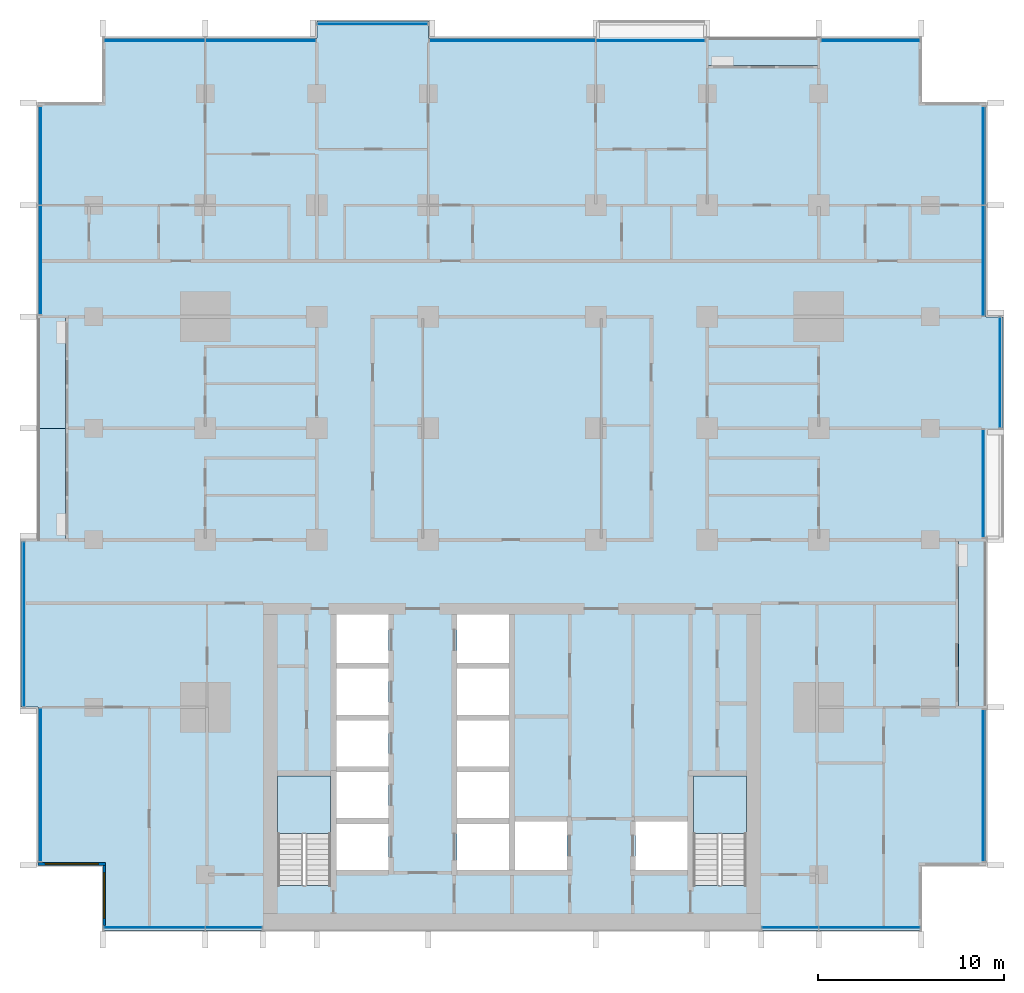
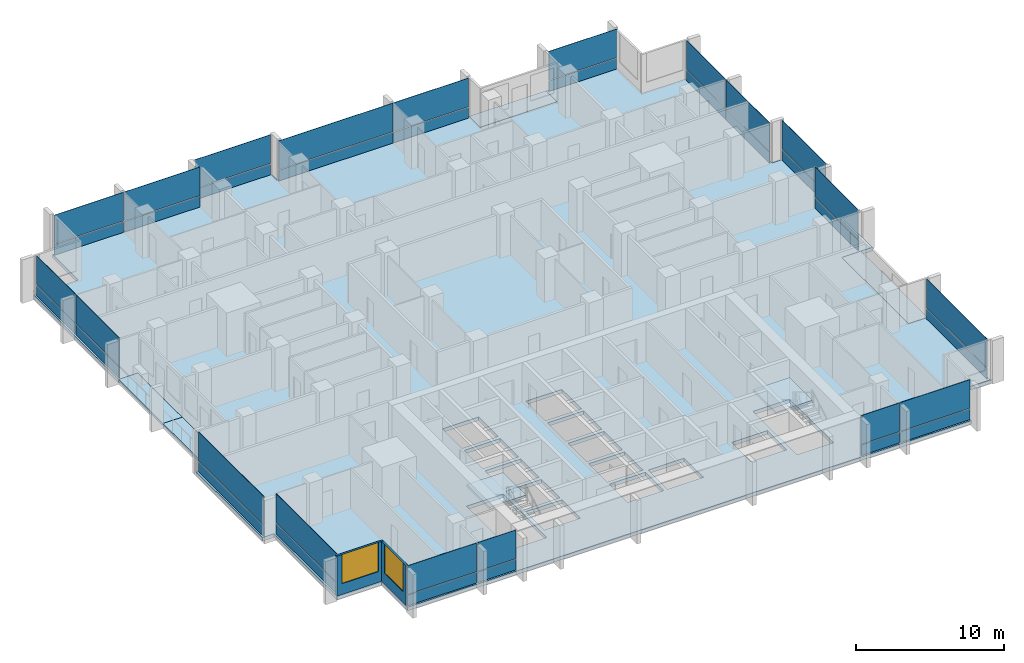
# One storey, part 6 of 17: 38 plates, 7 slabs, 2 walls, 2 windows, 2 openings, 15 elements without a shape of their own.
"""IFC4 building model written with IfcOpenShell, lengths in metres."""

from ifc_helpers import new_model, si_unit, direction, frame, frame_2d, origin, origin_2d, place, context, subcontext, project, spatial, polyline, rectangle, outline, extrude, material, layer, layer_set, type_object, element, fill, aggregate, save


model = new_model("IFC4")

# Units and contexts
model_context = context("Model", 3, precision=1e-05, world=origin(), true_north=direction((0.0, 1.0)))
body_context = subcontext(model_context, "Body", "Model", "MODEL_VIEW")
ifc_project = project(units=[si_unit("LENGTHUNIT", "METRE"), si_unit("AREAUNIT", "SQUARE_METRE"), si_unit("VOLUMEUNIT", "CUBIC_METRE"), si_unit("PLANEANGLEUNIT", "RADIAN"), si_unit("MASSUNIT", "GRAM", prefix="KILO")], contexts=[model_context])

# Site, building, storey
site_placement = place(None, origin())
site = spatial("IfcSite", under=ifc_project, at=site_placement, CompositionType="ELEMENT")
building_placement = place(site_placement, origin())
building = spatial("IfcBuilding", under=site, at=building_placement, Name="Finial Court Residences", CompositionType="ELEMENT")
storey_placement = place(building_placement, frame((0.0, 0.0, 102.699951171875)))
storey = spatial("IfcBuildingStorey", under=building, at=storey_placement, Name="L25", CompositionType="ELEMENT", Elevation=102.699951171875)

# Slabs
ifc_material_1 = material(Name="Concrete C35/45", Category="concrete")
ifc_layer_1 = layer(ifc_material_1, 0.199951171875)
ifc_layer_set_1 = layer_set([ifc_layer_1], Name="Balcony slab, Concrete C35/45 200")
slab_type_1 = type_object("IfcSlabType", Name="Balcony slab, Concrete C35/45 200", PredefinedType="FLOOR", material=ifc_layer_set_1)
slab_1_placement = place(storey_placement, frame((0.0, 0.0, -0.199951171875)))
element("IfcSlab", 1, at=slab_1_placement, inside=storey, type_object=slab_type_1, Name="Balcony L25-N6", PredefinedType="FLOOR", context=body_context, shape_type="SweptSolid", body=[
    extrude(outline(polyline([(16.5, 21.0), (16.5, 22.5), (10.5, 22.5), (10.5, 21.0), (16.5, 21.0)])), origin(), (0.0, 0.0, 1.0), 0.199951171875),
])
slab_2_placement = place(storey_placement, frame((0.0, 0.0, -0.199951171875)))
element("IfcSlab", 2, at=slab_2_placement, inside=storey, type_object=slab_type_1, Name="Balcony L25-E2", PredefinedType="FLOOR", context=body_context, shape_type="SweptSolid", body=[
    extrude(outline(polyline([(25.5, -13.5), (25.5, -4.5), (24.0, -4.5), (24.0, -13.5), (25.5, -13.5)])), origin(), (0.0, 0.0, 1.0), 0.199951171875),
])
slab_3_placement = place(storey_placement, frame((0.0, 0.0, -0.199951171875)))
element("IfcSlab", 3, at=slab_3_placement, inside=storey, type_object=slab_type_1, Name="Balcony L25-W3", PredefinedType="FLOOR", context=body_context, shape_type="SweptSolid", body=[
    extrude(outline(polyline([(-24.0, -4.5), (-24.0, 1.5), (-25.5, 1.5), (-25.5, -4.5), (-24.0, -4.5)])), origin(), (0.0, 0.0, 1.0), 0.199951171875),
])
slab_4_placement = place(storey_placement, frame((0.0, 0.0, -0.199951171875)))
element("IfcSlab", 4, at=slab_4_placement, inside=storey, type_object=slab_type_1, Name="Balcony L25-W4", PredefinedType="FLOOR", context=body_context, shape_type="SweptSolid", body=[
    extrude(outline(polyline([(-24.0, 1.5), (-24.0, 7.5), (-25.5, 7.5), (-25.5, 1.5), (-24.0, 1.5)])), origin(), (0.0, 0.0, 1.0), 0.199951171875),
])

# Curtain wall, plates
ifc_material_2 = material(Name="Bronze anodised aluminium", Category="aluminium")
curtain_wall_type = type_object("IfcCurtainWallType", Name="Unitised curtain wall, lower and middle zones", PredefinedType="NOTDEFINED", material=ifc_material_2)
curtain_wall_1_placement = place(storey_placement, origin())
curtain_wall_1 = element("IfcCurtainWall", 5, at=curtain_wall_1_placement, inside=storey, type_object=curtain_wall_type, Name="E-L25-CW-N1", PredefinedType="NOTDEFINED")
ifc_layer_2 = layer(ifc_material_2, 0.0400390625)
ifc_layer_set_2 = layer_set([ifc_layer_2], Name="CW1 spandrel panel 40")
plate_type_1 = type_object("IfcPlateType", Name="CW1 spandrel panel 40", PredefinedType="CURTAIN_PANEL", material=ifc_layer_set_2)
plate_1_placement = place(storey_placement, frame((-19.23388671875, 22.35009765625, 0.0), z_axis=(0.0, 0.0, 1.0), x_axis=(1.0, 0.0, 0.0)))
plate_1 = element("IfcPlate", 6, at=plate_1_placement, type_object=plate_type_1, Name="CW1 spandrel 1.1", PredefinedType="CURTAIN_PANEL", context=body_context, shape_type="SweptSolid", body=[
    extrude(rectangle(XDim=5.402587890625, YDim=0.0400390625, at=origin_2d()), origin(), (0.0, 0.0, 1.0), 0.867431640625),
])
plate_2_placement = place(storey_placement, frame((-13.516357421875, 22.35009765625, 0.0), z_axis=(0.0, 0.0, 1.0), x_axis=(1.0, 0.0, 0.0)))
plate_2 = element("IfcPlate", 7, at=plate_2_placement, type_object=plate_type_1, Name="CW1 spandrel 2.1", PredefinedType="CURTAIN_PANEL", context=body_context, shape_type="SweptSolid", body=[
    extrude(rectangle(XDim=5.902587890625, YDim=0.0400390625, at=origin_2d()), origin(), (0.0, 0.0, 1.0), 0.867431640625),
])

# Curtain wall, plate
curtain_wall_2_placement = place(storey_placement, origin())
curtain_wall_2 = element("IfcCurtainWall", 8, at=curtain_wall_2_placement, inside=storey, type_object=curtain_wall_type, Name="E-L25-CW-N2", PredefinedType="NOTDEFINED")
plate_3_placement = place(storey_placement, frame((-7.5, 23.25, 0.0), z_axis=(0.0, 0.0, 1.0), x_axis=(1.0, 0.0, 0.0)))
plate_3 = element("IfcPlate", 9, at=plate_3_placement, type_object=plate_type_1, Name="CW1 spandrel 1.1", PredefinedType="CURTAIN_PANEL", context=body_context, shape_type="SweptSolid", body=[
    extrude(rectangle(XDim=5.8701171875, YDim=0.0400390625, at=origin_2d()), origin(), (0.0, 0.0, 1.0), 0.867431640625),
])

# Curtain wall, plates
curtain_wall_3_placement = place(storey_placement, origin())
curtain_wall_3 = element("IfcCurtainWall", 10, at=curtain_wall_3_placement, inside=storey, type_object=curtain_wall_type, Name="E-L25-CW-N3", PredefinedType="NOTDEFINED")
plate_4_placement = place(storey_placement, frame((0.01611328125, 22.35009765625, 0.0), z_axis=(0.0, 0.0, 1.0), x_axis=(1.0, 0.0, 0.0)))
plate_4 = element("IfcPlate", 11, at=plate_4_placement, type_object=plate_type_1, Name="CW1 spandrel 1.1", PredefinedType="CURTAIN_PANEL", context=body_context, shape_type="SweptSolid", body=[
    extrude(rectangle(XDim=8.902587890625, YDim=0.0400390625, at=origin_2d()), origin(), (0.0, 0.0, 1.0), 0.867431640625),
])
plate_5_placement = place(storey_placement, frame((7.4462890625, 22.35009765625, 0.0), z_axis=(0.0, 0.0, 1.0), x_axis=(1.0, 0.0, 0.0)))
plate_5 = element("IfcPlate", 12, at=plate_5_placement, type_object=plate_type_1, Name="CW1 spandrel 2.1", PredefinedType="CURTAIN_PANEL", context=body_context, shape_type="SweptSolid", body=[
    extrude(rectangle(XDim=5.827392578125, YDim=0.0400390625, at=origin_2d()), origin(), (0.0, 0.0, 1.0), 0.867431640625),
])

# Curtain wall, plate
curtain_wall_4_placement = place(storey_placement, origin())
curtain_wall_4 = element("IfcCurtainWall", 13, at=curtain_wall_4_placement, inside=storey, type_object=curtain_wall_type, Name="E-L25-CW-N4", PredefinedType="NOTDEFINED")
plate_6_placement = place(storey_placement, frame((19.28759765625, 22.35009765625, 0.0), z_axis=(0.0, 0.0, 1.0), x_axis=(1.0, 0.0, 0.0)))
plate_6 = element("IfcPlate", 14, at=plate_6_placement, type_object=plate_type_1, Name="CW1 spandrel 1.1", PredefinedType="CURTAIN_PANEL", context=body_context, shape_type="SweptSolid", body=[
    extrude(rectangle(XDim=5.294921875, YDim=0.0400390625, at=origin_2d()), origin(), (0.0, 0.0, 1.0), 0.867431640625),
])

curtain_wall_5_placement = place(storey_placement, origin())
curtain_wall_5 = element("IfcCurtainWall", 15, at=curtain_wall_5_placement, inside=storey, type_object=curtain_wall_type, Name="E-L25-CW-E5", PredefinedType="NOTDEFINED")
plate_7_placement = place(storey_placement, frame((25.35009765625, -17.71240234375, 0.0), z_axis=(0.0, 0.0, 1.0), x_axis=(0.0, 1.0, 0.0)))
plate_7 = element("IfcPlate", 16, at=plate_7_placement, type_object=plate_type_1, Name="CW1 spandrel 1.1", PredefinedType="CURTAIN_PANEL", context=body_context, shape_type="SweptSolid", body=[
    extrude(rectangle(XDim=8.14501953125, YDim=0.0400390625, at=origin_2d()), origin(), (0.0, 0.0, 1.0), 0.867431640625),
])

curtain_wall_6_placement = place(storey_placement, origin())
curtain_wall_6 = element("IfcCurtainWall", 17, at=curtain_wall_6_placement, inside=storey, type_object=curtain_wall_type, Name="E-L25-CW-E6", PredefinedType="NOTDEFINED")
plate_8_placement = place(storey_placement, frame((25.35009765625, -1.46240234375, 0.0), z_axis=(0.0, 0.0, 1.0), x_axis=(0.0, 1.0, 0.0)))
plate_8 = element("IfcPlate", 18, at=plate_8_placement, type_object=plate_type_1, Name="CW1 spandrel 1.1", PredefinedType="CURTAIN_PANEL", context=body_context, shape_type="SweptSolid", body=[
    extrude(rectangle(XDim=5.794921875, YDim=0.0400390625, at=origin_2d()), origin(), (0.0, 0.0, 1.0), 0.867431640625),
])

curtain_wall_7_placement = place(storey_placement, origin())
curtain_wall_7 = element("IfcCurtainWall", 19, at=curtain_wall_7_placement, inside=storey, type_object=curtain_wall_type, Name="E-L25-CW-E7", PredefinedType="NOTDEFINED")
plate_9_placement = place(storey_placement, frame((26.25, 4.5, 0.0), z_axis=(0.0, 0.0, 1.0), x_axis=(0.0, 1.0, 0.0)))
plate_9 = element("IfcPlate", 20, at=plate_9_placement, type_object=plate_type_1, Name="CW1 spandrel 1.1", PredefinedType="CURTAIN_PANEL", context=body_context, shape_type="SweptSolid", body=[
    extrude(rectangle(XDim=5.8701171875, YDim=0.0400390625, at=origin_2d()), origin(), (0.0, 0.0, 1.0), 0.867431640625),
])

# Curtain wall, plates
curtain_wall_8_placement = place(storey_placement, origin())
curtain_wall_8 = element("IfcCurtainWall", 21, at=curtain_wall_8_placement, inside=storey, type_object=curtain_wall_type, Name="E-L25-CW-E8", PredefinedType="NOTDEFINED")
plate_10_placement = place(storey_placement, frame((25.35009765625, 10.51611328125, 0.0), z_axis=(0.0, 0.0, 1.0), x_axis=(0.0, 1.0, 0.0)))
plate_10 = element("IfcPlate", 22, at=plate_10_placement, type_object=plate_type_1, Name="CW1 spandrel 1.1", PredefinedType="CURTAIN_PANEL", context=body_context, shape_type="SweptSolid", body=[
    extrude(rectangle(XDim=5.902587890625, YDim=0.0400390625, at=origin_2d()), origin(), (0.0, 0.0, 1.0), 0.867431640625),
])
plate_11_placement = place(storey_placement, frame((25.35009765625, 16.15869140625, 0.0), z_axis=(0.0, 0.0, 1.0), x_axis=(0.0, 1.0, 0.0)))
plate_11 = element("IfcPlate", 23, at=plate_11_placement, type_object=plate_type_1, Name="CW1 spandrel 2.1", PredefinedType="CURTAIN_PANEL", context=body_context, shape_type="SweptSolid", body=[
    extrude(rectangle(XDim=5.25244140625, YDim=0.0400390625, at=origin_2d()), origin(), (0.0, 0.0, 1.0), 0.867431640625),
])

curtain_wall_9_placement = place(storey_placement, origin())
curtain_wall_9 = element("IfcCurtainWall", 24, at=curtain_wall_9_placement, inside=storey, type_object=curtain_wall_type, Name="E-L25-CW-S9", PredefinedType="NOTDEFINED")
plate_12_placement = place(storey_placement, frame((-19.23388671875, -25.35009765625, 0.0), z_axis=(0.0, 0.0, 1.0), x_axis=(1.0, 0.0, 0.0)))
plate_12 = element("IfcPlate", 25, at=plate_12_placement, type_object=plate_type_1, Name="CW1 spandrel 1.1", PredefinedType="CURTAIN_PANEL", context=body_context, shape_type="SweptSolid", body=[
    extrude(rectangle(XDim=5.402587890625, YDim=0.0400390625, at=origin_2d()), origin(), (0.0, 0.0, 1.0), 0.867431640625),
])
plate_13_placement = place(storey_placement, frame((-14.96630859375, -25.35009765625, 0.0), z_axis=(0.0, 0.0, 1.0), x_axis=(1.0, 0.0, 0.0)))
plate_13 = element("IfcPlate", 26, at=plate_13_placement, type_object=plate_type_1, Name="CW1 spandrel 2.1", PredefinedType="CURTAIN_PANEL", context=body_context, shape_type="SweptSolid", body=[
    extrude(rectangle(XDim=3.00244140625, YDim=0.0400390625, at=origin_2d()), origin(), (0.0, 0.0, 1.0), 0.867431640625),
])

curtain_wall_10_placement = place(storey_placement, origin())
curtain_wall_10 = element("IfcCurtainWall", 27, at=curtain_wall_10_placement, inside=storey, type_object=curtain_wall_type, Name="E-L25-CW-S10", PredefinedType="NOTDEFINED")
plate_14_placement = place(storey_placement, frame((14.96630859375, -25.35009765625, 0.0), z_axis=(0.0, 0.0, 1.0), x_axis=(1.0, 0.0, 0.0)))
plate_14 = element("IfcPlate", 28, at=plate_14_placement, type_object=plate_type_1, Name="CW1 spandrel 1.1", PredefinedType="CURTAIN_PANEL", context=body_context, shape_type="SweptSolid", body=[
    extrude(rectangle(XDim=3.00244140625, YDim=0.0400390625, at=origin_2d()), origin(), (0.0, 0.0, 1.0), 0.867431640625),
])
plate_15_placement = place(storey_placement, frame((19.23388671875, -25.35009765625, 0.0), z_axis=(0.0, 0.0, 1.0), x_axis=(1.0, 0.0, 0.0)))
plate_15 = element("IfcPlate", 29, at=plate_15_placement, type_object=plate_type_1, Name="CW1 spandrel 2.1", PredefinedType="CURTAIN_PANEL", context=body_context, shape_type="SweptSolid", body=[
    extrude(rectangle(XDim=5.402587890625, YDim=0.0400390625, at=origin_2d()), origin(), (0.0, 0.0, 1.0), 0.867431640625),
])

# Curtain wall, plate
curtain_wall_11_placement = place(storey_placement, origin())
curtain_wall_11 = element("IfcCurtainWall", 30, at=curtain_wall_11_placement, inside=storey, type_object=curtain_wall_type, Name="E-L25-CW-W11", PredefinedType="NOTDEFINED")
plate_16_placement = place(storey_placement, frame((-25.35009765625, -17.675048828125, 0.0), z_axis=(0.0, 0.0, 1.0), x_axis=(0.0, 1.0, 0.0)))
plate_16 = element("IfcPlate", 31, at=plate_16_placement, type_object=plate_type_1, Name="CW1 spandrel 1.1", PredefinedType="CURTAIN_PANEL", context=body_context, shape_type="SweptSolid", body=[
    extrude(rectangle(XDim=8.219970703125, YDim=0.0400390625, at=origin_2d()), origin(), (0.0, 0.0, 1.0), 0.867431640625),
])

curtain_wall_12_placement = place(storey_placement, origin())
curtain_wall_12 = element("IfcCurtainWall", 32, at=curtain_wall_12_placement, inside=storey, type_object=curtain_wall_type, Name="E-L25-CW-W12", PredefinedType="NOTDEFINED")
plate_17_placement = place(storey_placement, frame((-26.25, -9.03759765625, 0.0), z_axis=(0.0, 0.0, 1.0), x_axis=(0.0, 1.0, 0.0)))
plate_17 = element("IfcPlate", 33, at=plate_17_placement, type_object=plate_type_1, Name="CW1 spandrel 1.1", PredefinedType="CURTAIN_PANEL", context=body_context, shape_type="SweptSolid", body=[
    extrude(rectangle(XDim=8.794921875, YDim=0.0400390625, at=origin_2d()), origin(), (0.0, 0.0, 1.0), 0.867431640625),
])

# Curtain wall, plates
curtain_wall_13_placement = place(storey_placement, origin())
curtain_wall_13 = element("IfcCurtainWall", 34, at=curtain_wall_13_placement, inside=storey, type_object=curtain_wall_type, Name="E-L25-CW-W13", PredefinedType="NOTDEFINED")
plate_18_placement = place(storey_placement, frame((-25.35009765625, 10.5537109375, 0.0), z_axis=(0.0, 0.0, 1.0), x_axis=(0.0, 1.0, 0.0)))
plate_18 = element("IfcPlate", 35, at=plate_18_placement, type_object=plate_type_1, Name="CW1 spandrel 1.1", PredefinedType="CURTAIN_PANEL", context=body_context, shape_type="SweptSolid", body=[
    extrude(rectangle(XDim=5.827392578125, YDim=0.0400390625, at=origin_2d()), origin(), (0.0, 0.0, 1.0), 0.867431640625),
])
plate_19_placement = place(storey_placement, frame((-25.35009765625, 16.15869140625, 0.0), z_axis=(0.0, 0.0, 1.0), x_axis=(0.0, 1.0, 0.0)))
plate_19 = element("IfcPlate", 36, at=plate_19_placement, type_object=plate_type_1, Name="CW1 spandrel 2.1", PredefinedType="CURTAIN_PANEL", context=body_context, shape_type="SweptSolid", body=[
    extrude(rectangle(XDim=5.25244140625, YDim=0.0400390625, at=origin_2d()), origin(), (0.0, 0.0, 1.0), 0.867431640625),
])

# Plate
ifc_material_3 = material(Name="Clear low-e glass", Category="glass")
ifc_layer_3 = layer(ifc_material_3, 0.031982421875)
ifc_layer_set_3 = layer_set([ifc_layer_3], Name="CW1 vision glass 32")
plate_type_2 = type_object("IfcPlateType", Name="CW1 vision glass 32", PredefinedType="CURTAIN_PANEL", material=ifc_layer_set_3)
plate_20_placement = place(storey_placement, frame((-19.23388671875, 22.35009765625, 0.9326171875), z_axis=(0.0, 0.0, 1.0), x_axis=(1.0, 0.0, 0.0)))
plate_20 = element("IfcPlate", 37, at=plate_20_placement, type_object=plate_type_2, Name="CW1 glass 1.2", PredefinedType="CURTAIN_PANEL", context=body_context, shape_type="SweptSolid", body=[
    extrude(rectangle(XDim=5.402587890625, YDim=0.031982421875, at=origin_2d()), origin(), (0.0, 0.0, 1.0), 2.367431640625),
])

plate_21_placement = place(storey_placement, frame((-13.516357421875, 22.35009765625, 0.9326171875), z_axis=(0.0, 0.0, 1.0), x_axis=(1.0, 0.0, 0.0)))
plate_21 = element("IfcPlate", 38, at=plate_21_placement, type_object=plate_type_2, Name="CW1 glass 2.2", PredefinedType="CURTAIN_PANEL", context=body_context, shape_type="SweptSolid", body=[
    extrude(rectangle(XDim=5.902587890625, YDim=0.031982421875, at=origin_2d()), origin(), (0.0, 0.0, 1.0), 2.367431640625),
])

aggregate(curtain_wall_1, [plate_1, plate_20, plate_2, plate_21])

plate_22_placement = place(storey_placement, frame((-7.5, 23.25, 0.9326171875), z_axis=(0.0, 0.0, 1.0), x_axis=(1.0, 0.0, 0.0)))
plate_22 = element("IfcPlate", 39, at=plate_22_placement, type_object=plate_type_2, Name="CW1 glass 1.2", PredefinedType="CURTAIN_PANEL", context=body_context, shape_type="SweptSolid", body=[
    extrude(rectangle(XDim=5.8701171875, YDim=0.031982421875, at=origin_2d()), origin(), (0.0, 0.0, 1.0), 2.367431640625),
])

aggregate(curtain_wall_2, [plate_3, plate_22])

plate_23_placement = place(storey_placement, frame((0.01611328125, 22.35009765625, 0.9326171875), z_axis=(0.0, 0.0, 1.0), x_axis=(1.0, 0.0, 0.0)))
plate_23 = element("IfcPlate", 40, at=plate_23_placement, type_object=plate_type_2, Name="CW1 glass 1.2", PredefinedType="CURTAIN_PANEL", context=body_context, shape_type="SweptSolid", body=[
    extrude(rectangle(XDim=8.902587890625, YDim=0.031982421875, at=origin_2d()), origin(), (0.0, 0.0, 1.0), 2.367431640625),
])

plate_24_placement = place(storey_placement, frame((7.4462890625, 22.35009765625, 0.9326171875), z_axis=(0.0, 0.0, 1.0), x_axis=(1.0, 0.0, 0.0)))
plate_24 = element("IfcPlate", 41, at=plate_24_placement, type_object=plate_type_2, Name="CW1 glass 2.2", PredefinedType="CURTAIN_PANEL", context=body_context, shape_type="SweptSolid", body=[
    extrude(rectangle(XDim=5.827392578125, YDim=0.031982421875, at=origin_2d()), origin(), (0.0, 0.0, 1.0), 2.367431640625),
])

aggregate(curtain_wall_3, [plate_4, plate_23, plate_5, plate_24])

plate_25_placement = place(storey_placement, frame((19.28759765625, 22.35009765625, 0.9326171875), z_axis=(0.0, 0.0, 1.0), x_axis=(1.0, 0.0, 0.0)))
plate_25 = element("IfcPlate", 42, at=plate_25_placement, type_object=plate_type_2, Name="CW1 glass 1.2", PredefinedType="CURTAIN_PANEL", context=body_context, shape_type="SweptSolid", body=[
    extrude(rectangle(XDim=5.294921875, YDim=0.031982421875, at=origin_2d()), origin(), (0.0, 0.0, 1.0), 2.367431640625),
])

aggregate(curtain_wall_4, [plate_6, plate_25])

plate_26_placement = place(storey_placement, frame((25.35009765625, -17.71240234375, 0.9326171875), z_axis=(0.0, 0.0, 1.0), x_axis=(0.0, 1.0, 0.0)))
plate_26 = element("IfcPlate", 43, at=plate_26_placement, type_object=plate_type_2, Name="CW1 glass 1.2", PredefinedType="CURTAIN_PANEL", context=body_context, shape_type="SweptSolid", body=[
    extrude(rectangle(XDim=8.14501953125, YDim=0.031982421875, at=origin_2d()), origin(), (0.0, 0.0, 1.0), 2.367431640625),
])

aggregate(curtain_wall_5, [plate_7, plate_26])

plate_27_placement = place(storey_placement, frame((25.35009765625, -1.46240234375, 0.9326171875), z_axis=(0.0, 0.0, 1.0), x_axis=(0.0, 1.0, 0.0)))
plate_27 = element("IfcPlate", 44, at=plate_27_placement, type_object=plate_type_2, Name="CW1 glass 1.2", PredefinedType="CURTAIN_PANEL", context=body_context, shape_type="SweptSolid", body=[
    extrude(rectangle(XDim=5.794921875, YDim=0.031982421875, at=origin_2d()), origin(), (0.0, 0.0, 1.0), 2.467529296875),
])

aggregate(curtain_wall_6, [plate_8, plate_27])

plate_28_placement = place(storey_placement, frame((26.25, 4.5, 0.9326171875), z_axis=(0.0, 0.0, 1.0), x_axis=(0.0, 1.0, 0.0)))
plate_28 = element("IfcPlate", 45, at=plate_28_placement, type_object=plate_type_2, Name="CW1 glass 1.2", PredefinedType="CURTAIN_PANEL", context=body_context, shape_type="SweptSolid", body=[
    extrude(rectangle(XDim=5.8701171875, YDim=0.031982421875, at=origin_2d()), origin(), (0.0, 0.0, 1.0), 2.367431640625),
])

aggregate(curtain_wall_7, [plate_9, plate_28])

plate_29_placement = place(storey_placement, frame((25.35009765625, 10.51611328125, 0.9326171875), z_axis=(0.0, 0.0, 1.0), x_axis=(0.0, 1.0, 0.0)))
plate_29 = element("IfcPlate", 46, at=plate_29_placement, type_object=plate_type_2, Name="CW1 glass 1.2", PredefinedType="CURTAIN_PANEL", context=body_context, shape_type="SweptSolid", body=[
    extrude(rectangle(XDim=5.902587890625, YDim=0.031982421875, at=origin_2d()), origin(), (0.0, 0.0, 1.0), 2.367431640625),
])

plate_30_placement = place(storey_placement, frame((25.35009765625, 16.15869140625, 0.9326171875), z_axis=(0.0, 0.0, 1.0), x_axis=(0.0, 1.0, 0.0)))
plate_30 = element("IfcPlate", 47, at=plate_30_placement, type_object=plate_type_2, Name="CW1 glass 2.2", PredefinedType="CURTAIN_PANEL", context=body_context, shape_type="SweptSolid", body=[
    extrude(rectangle(XDim=5.25244140625, YDim=0.031982421875, at=origin_2d()), origin(), (0.0, 0.0, 1.0), 2.367431640625),
])

aggregate(curtain_wall_8, [plate_10, plate_29, plate_11, plate_30])

plate_31_placement = place(storey_placement, frame((-19.23388671875, -25.35009765625, 0.9326171875), z_axis=(0.0, 0.0, 1.0), x_axis=(1.0, 0.0, 0.0)))
plate_31 = element("IfcPlate", 48, at=plate_31_placement, type_object=plate_type_2, Name="CW1 glass 1.2", PredefinedType="CURTAIN_PANEL", context=body_context, shape_type="SweptSolid", body=[
    extrude(rectangle(XDim=5.402587890625, YDim=0.031982421875, at=origin_2d()), origin(), (0.0, 0.0, 1.0), 2.367431640625),
])

plate_32_placement = place(storey_placement, frame((-14.96630859375, -25.35009765625, 0.9326171875), z_axis=(0.0, 0.0, 1.0), x_axis=(1.0, 0.0, 0.0)))
plate_32 = element("IfcPlate", 49, at=plate_32_placement, type_object=plate_type_2, Name="CW1 glass 2.2", PredefinedType="CURTAIN_PANEL", context=body_context, shape_type="SweptSolid", body=[
    extrude(rectangle(XDim=3.00244140625, YDim=0.031982421875, at=origin_2d()), origin(), (0.0, 0.0, 1.0), 2.367431640625),
])

aggregate(curtain_wall_9, [plate_12, plate_31, plate_13, plate_32])

plate_33_placement = place(storey_placement, frame((14.96630859375, -25.35009765625, 0.9326171875), z_axis=(0.0, 0.0, 1.0), x_axis=(1.0, 0.0, 0.0)))
plate_33 = element("IfcPlate", 50, at=plate_33_placement, type_object=plate_type_2, Name="CW1 glass 1.2", PredefinedType="CURTAIN_PANEL", context=body_context, shape_type="SweptSolid", body=[
    extrude(rectangle(XDim=3.00244140625, YDim=0.031982421875, at=origin_2d()), origin(), (0.0, 0.0, 1.0), 2.367431640625),
])

plate_34_placement = place(storey_placement, frame((19.23388671875, -25.35009765625, 0.9326171875), z_axis=(0.0, 0.0, 1.0), x_axis=(1.0, 0.0, 0.0)))
plate_34 = element("IfcPlate", 51, at=plate_34_placement, type_object=plate_type_2, Name="CW1 glass 2.2", PredefinedType="CURTAIN_PANEL", context=body_context, shape_type="SweptSolid", body=[
    extrude(rectangle(XDim=5.402587890625, YDim=0.031982421875, at=origin_2d()), origin(), (0.0, 0.0, 1.0), 2.367431640625),
])

aggregate(curtain_wall_10, [plate_14, plate_33, plate_15, plate_34])

plate_35_placement = place(storey_placement, frame((-25.35009765625, -17.675048828125, 0.9326171875), z_axis=(0.0, 0.0, 1.0), x_axis=(0.0, 1.0, 0.0)))
plate_35 = element("IfcPlate", 52, at=plate_35_placement, type_object=plate_type_2, Name="CW1 glass 1.2", PredefinedType="CURTAIN_PANEL", context=body_context, shape_type="SweptSolid", body=[
    extrude(rectangle(XDim=8.219970703125, YDim=0.031982421875, at=origin_2d()), origin(), (0.0, 0.0, 1.0), 2.367431640625),
])

aggregate(curtain_wall_11, [plate_16, plate_35])

plate_36_placement = place(storey_placement, frame((-26.25, -9.03759765625, 0.9326171875), z_axis=(0.0, 0.0, 1.0), x_axis=(0.0, 1.0, 0.0)))
plate_36 = element("IfcPlate", 53, at=plate_36_placement, type_object=plate_type_2, Name="CW1 glass 1.2", PredefinedType="CURTAIN_PANEL", context=body_context, shape_type="SweptSolid", body=[
    extrude(rectangle(XDim=8.794921875, YDim=0.031982421875, at=origin_2d()), origin(), (0.0, 0.0, 1.0), 2.367431640625),
])

aggregate(curtain_wall_12, [plate_17, plate_36])

plate_37_placement = place(storey_placement, frame((-25.35009765625, 10.5537109375, 0.9326171875), z_axis=(0.0, 0.0, 1.0), x_axis=(0.0, 1.0, 0.0)))
plate_37 = element("IfcPlate", 54, at=plate_37_placement, type_object=plate_type_2, Name="CW1 glass 1.2", PredefinedType="CURTAIN_PANEL", context=body_context, shape_type="SweptSolid", body=[
    extrude(rectangle(XDim=5.827392578125, YDim=0.031982421875, at=origin_2d()), origin(), (0.0, 0.0, 1.0), 2.367431640625),
])

plate_38_placement = place(storey_placement, frame((-25.35009765625, 16.15869140625, 0.9326171875), z_axis=(0.0, 0.0, 1.0), x_axis=(0.0, 1.0, 0.0)))
plate_38 = element("IfcPlate", 55, at=plate_38_placement, type_object=plate_type_2, Name="CW1 glass 2.2", PredefinedType="CURTAIN_PANEL", context=body_context, shape_type="SweptSolid", body=[
    extrude(rectangle(XDim=5.25244140625, YDim=0.031982421875, at=origin_2d()), origin(), (0.0, 0.0, 1.0), 2.367431640625),
])

aggregate(curtain_wall_13, [plate_18, plate_37, plate_19, plate_38])

# Stair, slab
ifc_material_4 = material(Name="Concrete C50/60", Category="concrete")
stair_type = type_object("IfcStairType", Name="Exit stair 22 risers of 163.6 mm", PredefinedType="HALF_TURN_STAIR", material=ifc_material_4)
stair_1_placement = place(storey_placement, origin())
stair_1 = element("IfcStair", 56, at=stair_1_placement, inside=storey, type_object=stair_type, Name="L25 Exit stair ST-1", PredefinedType="HALF_TURN_STAIR")
ifc_layer_4 = layer(ifc_material_4, 0.199951171875)
ifc_layer_set_4 = layer_set([ifc_layer_4], Name="Exit stair landing")
slab_type_2 = type_object("IfcSlabType", Name="Exit stair landing", PredefinedType="LANDING", material=ifc_layer_set_4)
slab_5_placement = place(storey_placement, frame((0.0, 0.0, 1.60009765625)))
slab_5 = element("IfcSlab", 57, at=slab_5_placement, type_object=slab_type_2, Name="ST-1 landing 1", PredefinedType="LANDING", context=body_context, shape_type="SweptSolid", body=[
    extrude(outline(polyline([(-9.75, -20.300048828125), (-9.75, -17.199951171875), (-12.60009765625, -17.199951171875), (-12.60009765625, -20.300048828125), (-9.75, -20.300048828125)])), origin(), (0.0, 0.0, 1.0), 0.199951171875),
])
aggregate(stair_1, [slab_5])

stair_2_placement = place(storey_placement, origin())
stair_2 = element("IfcStair", 58, at=stair_2_placement, inside=storey, type_object=stair_type, Name="L25 Exit stair ST-2", PredefinedType="HALF_TURN_STAIR")
slab_6_placement = place(storey_placement, frame((0.0, 0.0, 1.60009765625)))
slab_6 = element("IfcSlab", 59, at=slab_6_placement, type_object=slab_type_2, Name="ST-2 landing 1", PredefinedType="LANDING", context=body_context, shape_type="SweptSolid", body=[
    extrude(outline(polyline([(12.60009765625, -20.300048828125), (12.60009765625, -17.199951171875), (9.75, -17.199951171875), (9.75, -20.300048828125), (12.60009765625, -20.300048828125)])), origin(), (0.0, 0.0, 1.0), 0.199951171875),
])
aggregate(stair_2, [slab_6])

# Slab
ifc_material_5 = material(Name="Concrete C40/50", Category="concrete")
ifc_layer_5 = layer(ifc_material_5, 0.300048828125)
ifc_layer_set_5 = layer_set([ifc_layer_5], Name="Flat plate slab 300 Concrete C40/50")
slab_type_3 = type_object("IfcSlabType", Name="Flat plate slab 300 Concrete C40/50", PredefinedType="FLOOR", material=ifc_layer_set_5)
slab_7_placement = place(storey_placement, frame((0.0, 0.0, -0.300048828125)))
element("IfcSlab", 60, at=slab_7_placement, inside=storey, type_object=slab_type_3, Name="S:SLAB:L25", PredefinedType="FLOOR", context=body_context, shape_type="SweptSolid", body=[
    extrude(outline(polyline([(26.39990234375, -4.5), (25.5, -4.5), (24.0, -4.5), (24.0, -13.5), (25.5, -13.5), (25.5, -22.0), (22.0, -22.0), (22.0, -25.5), (-22.0, -25.5), (-22.0, -22.0), (-25.5, -22.0), (-25.5, -13.5), (-26.39990234375, -13.5), (-26.39990234375, -4.5), (-25.5, -4.5), (-24.0, -4.5), (-24.0, 1.5), (-24.0, 7.5), (-25.5, 7.5), (-25.5, 19.0), (-22.0, 19.0), (-22.0, 22.5), (-10.5, 22.5), (-10.5, 23.39990234375), (-4.5, 23.39990234375), (-4.5, 22.5), (4.5, 22.5), (4.5, 23.39990234375), (10.5, 23.39990234375), (10.5, 22.5), (10.5, 21.0), (16.5, 21.0), (16.5, 22.5), (22.0, 22.5), (22.0, 19.0), (25.5, 19.0), (25.5, 7.5), (26.39990234375, 7.5), (26.39990234375, 1.5), (26.39990234375, -4.5)]), holes=[polyline([(-6.64990234375, -19.77001953125), (-9.449951171875, -19.77001953125), (-9.449951171875, -22.25), (-6.64990234375, -22.25), (-6.64990234375, -19.77001953125)]), polyline([(-9.75, -17.199951171875), (-12.60009765625, -17.199951171875), (-12.60009765625, -23.09912109375), (-9.75, -23.09912109375), (-9.75, -17.199951171875)]), polyline([(-6.64990234375, -19.469970703125), (-6.64990234375, -16.989990234375), (-9.449951171875, -16.989990234375), (-9.449951171875, -19.469970703125), (-6.64990234375, -19.469970703125)]), polyline([(-6.64990234375, -16.68994140625), (-6.64990234375, -14.2099609375), (-9.449951171875, -14.2099609375), (-9.449951171875, -16.68994140625), (-6.64990234375, -16.68994140625)]), polyline([(-6.64990234375, -13.909912109375), (-6.64990234375, -11.429931640625), (-9.449951171875, -11.429931640625), (-9.449951171875, -13.909912109375), (-6.64990234375, -13.909912109375)]), polyline([(-6.64990234375, -11.1298828125), (-6.64990234375, -8.5), (-9.449951171875, -8.5), (-9.449951171875, -11.1298828125), (-6.64990234375, -11.1298828125)]), polyline([(-0.14990234375, -11.1298828125), (-0.14990234375, -8.5), (-2.949951171875, -8.5), (-2.949951171875, -11.1298828125), (-0.14990234375, -11.1298828125)]), polyline([(-0.14990234375, -19.77001953125), (-2.949951171875, -19.77001953125), (-2.949951171875, -22.25), (-0.14990234375, -22.25), (-0.14990234375, -19.77001953125)]), polyline([(2.949951171875, -22.25), (2.949951171875, -19.64990234375), (0.14990234375, -19.64990234375), (0.14990234375, -22.25), (2.949951171875, -22.25)]), polyline([(9.449951171875, -22.25), (9.449951171875, -19.64990234375), (6.64990234375, -19.64990234375), (6.64990234375, -22.25), (9.449951171875, -22.25)]), polyline([(12.60009765625, -17.199951171875), (9.75, -17.199951171875), (9.75, -23.09912109375), (12.60009765625, -23.09912109375), (12.60009765625, -17.199951171875)]), polyline([(-0.14990234375, -19.469970703125), (-0.14990234375, -16.989990234375), (-2.949951171875, -16.989990234375), (-2.949951171875, -19.469970703125), (-0.14990234375, -19.469970703125)]), polyline([(-0.14990234375, -16.68994140625), (-0.14990234375, -14.2099609375), (-2.949951171875, -14.2099609375), (-2.949951171875, -16.68994140625), (-0.14990234375, -16.68994140625)]), polyline([(-0.14990234375, -13.909912109375), (-0.14990234375, -11.429931640625), (-2.949951171875, -11.429931640625), (-2.949951171875, -13.909912109375), (-0.14990234375, -13.909912109375)])]), origin(), (0.0, 0.0, 1.0), 0.300048828125),
])

# Wall, opening, window
ifc_material_6 = material(Name="Natural limestone", Category="masonry")
ifc_layer_6 = layer(ifc_material_6, 0.14990234375)
ifc_layer_set_6 = layer_set([ifc_layer_6], Name="Limestone clad wall 150")
wall_type = type_object("IfcWallType", Name="Limestone clad wall 150", PredefinedType="SOLIDWALL", material=ifc_layer_set_6)
wall_1_placement = place(storey_placement, frame((-21.925048828125, -25.25, 0.0), z_axis=(0.0, 0.0, 1.0), x_axis=(0.0, 1.0, 0.0)))
wall_1 = element("IfcWall", 61, at=wall_1_placement, inside=storey, type_object=wall_type, Name="E-L25-NWW14", PredefinedType="SOLIDWALL", context=body_context, shape_type="SweptSolid", body=[
    extrude(rectangle(XDim=3.25, YDim=0.14990234375, at=frame_2d((1.625, 0.0))), origin(), (0.0, 0.0, 1.0), 3.300048828125),
])
opening_1_placement = place(wall_1_placement, frame((0.39990234375, 0.0, 0.89990234375)))
opening_1 = element("IfcOpeningElement", 62, at=opening_1_placement, cuts=wall_1, Name="Opening WE25-01", PredefinedType="OPENING", context=body_context, shape_type="SweptSolid", body=[
    extrude(rectangle(XDim=2.449951171875, YDim=2.39990234375, at=frame_2d((1.22509765625, 1.199951171875))), frame((0.0, 0.0849609375, 0.0), z_axis=(0.0, -1.0, 0.0), x_axis=(1.0, 0.0, 0.0)), (0.0, 0.0, 1.0), 0.169921875),
])
window_type_1 = type_object("IfcWindowType", Name="Corner window 2450 x 2400", PartitioningType="SINGLE_PANEL", PredefinedType="WINDOW", material=ifc_material_3)
window_1_placement = place(opening_1_placement, origin())
window_1 = element("IfcWindow", 63, at=window_1_placement, inside=storey, type_object=window_type_1, Name="E-L25-NWW14-W1", OverallHeight=2.39990234375, OverallWidth=2.449951171875, PartitioningType="SINGLE_PANEL", PredefinedType="WINDOW", context=body_context, shape_type="SweptSolid", body=[
    extrude(rectangle(XDim=2.449951171875, YDim=2.39990234375, at=frame_2d((1.22509765625, 1.199951171875))), frame((0.0, 0.030029296875, 0.0), z_axis=(0.0, -1.0, 0.0), x_axis=(1.0, 0.0, 0.0)), (0.0, 0.0, 1.0), 0.06005859375),
])
fill(opening_1, window_1)

wall_2_placement = place(storey_placement, frame((-21.85009765625, -21.925048828125, 0.0), z_axis=(0.0, 0.0, 1.0), x_axis=(-1.0, 0.0, 0.0)))
wall_2 = element("IfcWall", 64, at=wall_2_placement, inside=storey, type_object=wall_type, Name="E-L25-NWS15", PredefinedType="SOLIDWALL", context=body_context, shape_type="SweptSolid", body=[
    extrude(rectangle(XDim=3.64990234375, YDim=0.14990234375, at=frame_2d((1.824951171875, 0.0))), origin(), (0.0, 0.0, 1.0), 3.300048828125),
])
opening_2_placement = place(wall_2_placement, frame((0.39990234375, 0.0, 0.89990234375)))
opening_2 = element("IfcOpeningElement", 65, at=opening_2_placement, cuts=wall_2, Name="Opening WE25-02", PredefinedType="OPENING", context=body_context, shape_type="SweptSolid", body=[
    extrude(rectangle(XDim=2.85009765625, YDim=2.39990234375, at=frame_2d((1.425048828125, 1.199951171875))), frame((0.0, 0.0849609375, 0.0), z_axis=(0.0, -1.0, 0.0), x_axis=(1.0, 0.0, 0.0)), (0.0, 0.0, 1.0), 0.169921875),
])
window_type_2 = type_object("IfcWindowType", Name="Corner window 2850 x 2400", PartitioningType="SINGLE_PANEL", PredefinedType="WINDOW", material=ifc_material_3)
window_2_placement = place(opening_2_placement, origin())
window_2 = element("IfcWindow", 66, at=window_2_placement, inside=storey, type_object=window_type_2, Name="E-L25-NWS15-W1", OverallHeight=2.39990234375, OverallWidth=2.85009765625, PartitioningType="SINGLE_PANEL", PredefinedType="WINDOW", context=body_context, shape_type="SweptSolid", body=[
    extrude(rectangle(XDim=2.85009765625, YDim=2.39990234375, at=frame_2d((1.425048828125, 1.199951171875))), frame((0.0, 0.030029296875, 0.0), z_axis=(0.0, -1.0, 0.0), x_axis=(1.0, 0.0, 0.0)), (0.0, 0.0, 1.0), 0.06005859375),
])
fill(opening_2, window_2)

save(model, "model.ifc")
